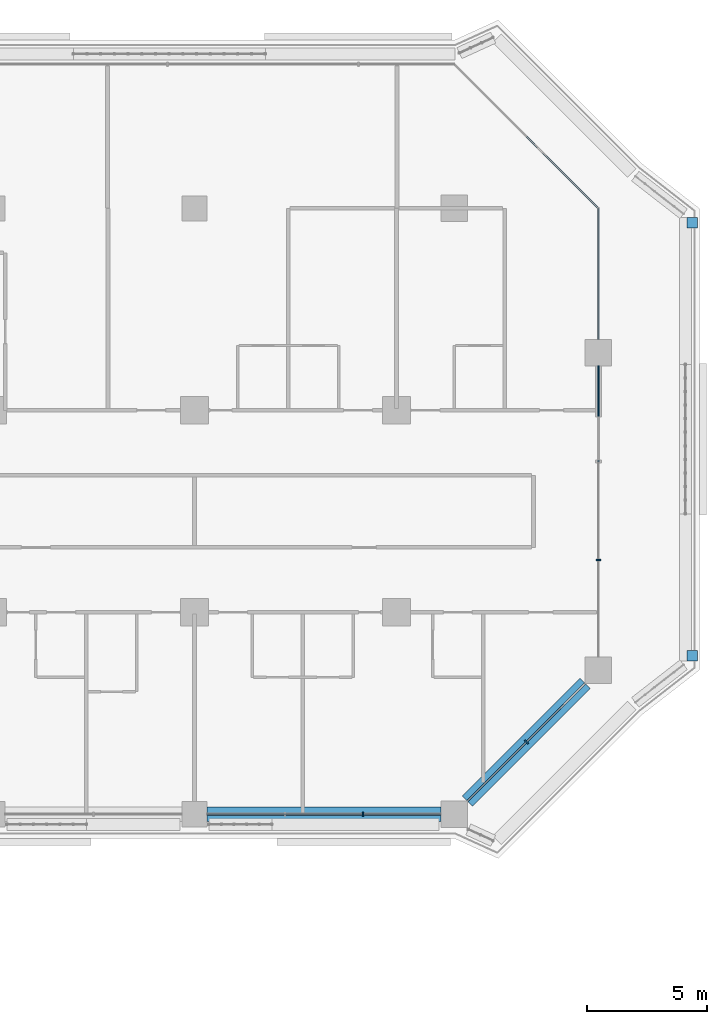
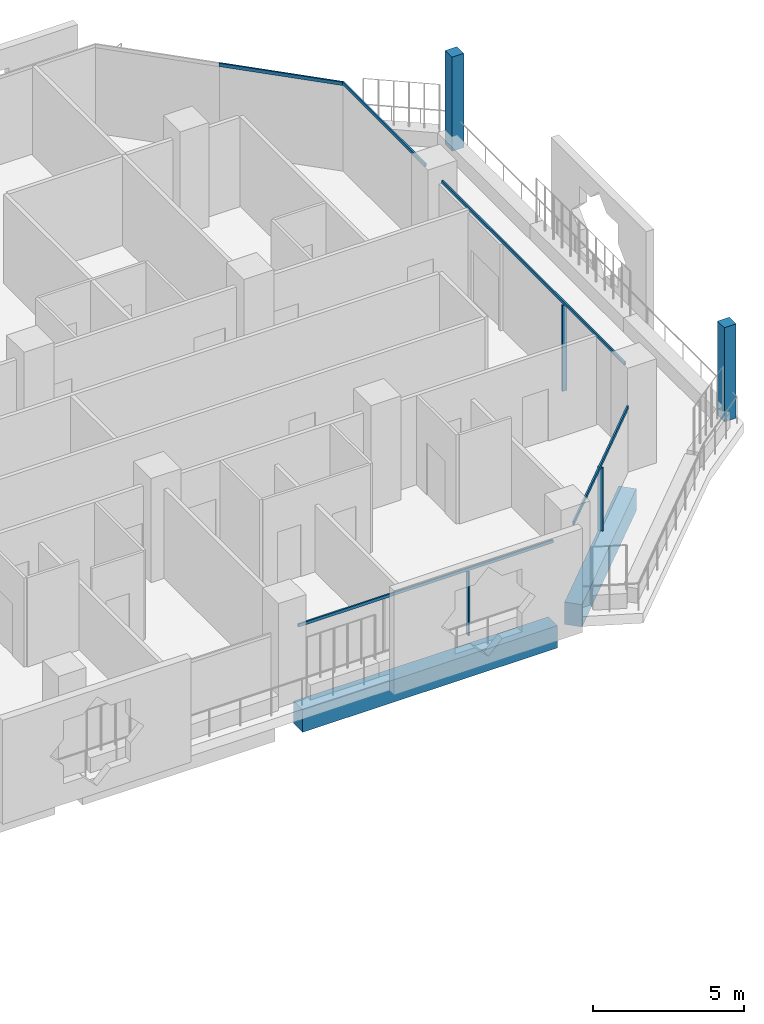
# One storey, part 7 of 25: 10 members, 2 beams, 5 elements without a shape of their own.
"""IFC4 building model written with IfcOpenShell, lengths in metres."""

import ifcopenshell
import ifcopenshell.guid

model = None  # the IFC model being written
_history = None  # IfcOwnerHistory: only IFC2X3 demands one
_inside = {}  # id of a spatial element -> (the spatial element, [elements in it])
_under = {}  # id of a project, library or spatial element -> (it, [spatial elements below it])
_declared = {}  # id of a project -> (the project, [libraries it declares])
_typed = {}  # id of a type object -> (the type object, [elements of that type])
_made_of = {}  # id of a material, layer set ... -> (it, [elements and type objects made of it])


def new_model(schema):
    """Start an empty IFC model of exactly this schema.

    Asked for "IFC4X3", IfcOpenShell would pick the latest addendum, in which some entities
    have other attributes; the version numbers below select the first issue.
    IFC2X3 requires an IfcOwnerHistory on every rooted entity: one is made here for all.
    """
    global model, _history
    if schema == "IFC4X3":
        model = ifcopenshell.file(schema_version=(4, 3, 0, 0))
    else:
        model = ifcopenshell.file(schema=schema)
    _inside.clear()
    _under.clear()
    _declared.clear()
    _typed.clear()
    _made_of.clear()
    _history = None
    if model.schema == "IFC2X3":
        org = make("IfcOrganization", Name="unknown")
        user = make(
            "IfcPersonAndOrganization",
            ThePerson=make("IfcPerson", FamilyName="unknown"),
            TheOrganization=org,
        )
        app = make(
            "IfcApplication",
            ApplicationDeveloper=org,
            Version="unknown",
            ApplicationFullName="unknown",
            ApplicationIdentifier="unknown",
        )
        _history = make(
            "IfcOwnerHistory",
            OwningUser=user,
            OwningApplication=app,
            ChangeAction="ADDED",
            CreationDate=0,
        )
    return model


def make(cls, **values):
    """One entity of the class cls with the attributes given. An attribute that is None is left unset."""
    return model.create_entity(
        cls, **{name: value for name, value in values.items() if value is not None}
    )


def rooted(cls, **values):
    """An entity with a GlobalId (a new one), such as an element, a storey or a relation."""
    return make(cls, GlobalId=ifcopenshell.guid.new(), OwnerHistory=_history, **values)


def si_unit(unit_type, name, prefix=None):
    """IfcSIUnit, for example si_unit("LENGTHUNIT", "METRE", prefix="MILLI")."""
    return make("IfcSIUnit", UnitType=unit_type, Prefix=prefix, Name=name)


def assignment(units):
    """IfcUnitAssignment: the units of a project."""
    return None if units is None else make("IfcUnitAssignment", Units=units)


def point(xyz):
    """IfcCartesianPoint."""
    return None if xyz is None else make("IfcCartesianPoint", Coordinates=xyz)


def direction(xyz):
    """IfcDirection."""
    return None if xyz is None else make("IfcDirection", DirectionRatios=xyz)


def frame(location, z_axis=None, x_axis=None):
    """IfcAxis2Placement3D, a coordinate frame: its origin and axes. An axis left out is left unset."""
    return make(
        "IfcAxis2Placement3D",
        Location=point(location),
        Axis=direction(z_axis),
        RefDirection=direction(x_axis),
    )


def frame_2d(location, x_axis=None):
    """IfcAxis2Placement2D, a coordinate frame in the plane: its origin and x axis."""
    return make(
        "IfcAxis2Placement2D", Location=point(location), RefDirection=direction(x_axis)
    )


def origin():
    """The frame at (0, 0, 0) with its axes left unset."""
    return frame((0.0, 0.0, 0.0))


def origin_2d():
    """The frame at (0, 0) in the plane with its x axis left unset."""
    return frame_2d((0.0, 0.0))


def place(relative_to, where):
    """IfcLocalPlacement: puts the frame where relative to a parent placement (None: the world)."""
    return make(
        "IfcLocalPlacement", PlacementRelTo=relative_to, RelativePlacement=where
    )


def context(
    kind, dimensions, precision=None, world=None, true_north=None, identifier=None
):
    """IfcGeometricRepresentationContext, for example the 3D "Model" context."""
    return make(
        "IfcGeometricRepresentationContext",
        ContextIdentifier=identifier,
        ContextType=kind,
        CoordinateSpaceDimension=dimensions,
        Precision=precision,
        WorldCoordinateSystem=world,
        TrueNorth=true_north,
    )


def subcontext(parent, identifier, kind, view, scale=None):
    """IfcGeometricRepresentationSubContext, for example "Body" below "Model"."""
    return make(
        "IfcGeometricRepresentationSubContext",
        ContextIdentifier=identifier,
        ContextType=kind,
        ParentContext=parent,
        TargetScale=scale,
        TargetView=view,
    )


def project(units=None, contexts=None):
    """IfcProject with its units and contexts."""
    return rooted(
        "IfcProject",
        Name="project",
        RepresentationContexts=contexts,
        UnitsInContext=assignment(units),
    )


def spatial(cls, under=None, at=None, **own):
    """A site, building, storey or space (cls), placed at a placement, below another one or the project."""
    s = rooted(cls, ObjectPlacement=at, **own)
    if under is not None:
        _under.setdefault(under.id(), (under, []))[1].append(s)
    return s


def profile(cls, at=None, kind="AREA", **sizes):
    """A parametric profile (cls). Its sizes go by their IFC names, for example OverallWidth=200.0."""
    return make(cls, ProfileType=kind, Position=at, **sizes)


def rectangle(**sizes):
    """IfcRectangleProfileDef."""
    return profile("IfcRectangleProfileDef", **sizes)


def extrude(swept, where, along, depth):
    """IfcExtrudedAreaSolid: the profile swept, set in the frame where, extruded along a direction by depth."""
    return make(
        "IfcExtrudedAreaSolid",
        SweptArea=swept,
        Position=where,
        ExtrudedDirection=direction(along),
        Depth=depth,
    )


def shape(context_of_items, identifier, shape_type, items):
    """IfcShapeRepresentation: the items that make up one representation, for example the "Body"."""
    return make(
        "IfcShapeRepresentation",
        ContextOfItems=context_of_items,
        RepresentationIdentifier=identifier,
        RepresentationType=shape_type,
        Items=items,
    )


def material(Name=None, Category=None):
    """IfcMaterial."""
    return make("IfcMaterial", Name=Name, Category=Category)


def layer(
    of_material, thickness, ventilated=None, Name=None, Category=None, Priority=None
):
    """IfcMaterialLayer: one layer of a wall or slab, of a material (None: an air gap)."""
    return make(
        "IfcMaterialLayer",
        Material=of_material,
        LayerThickness=thickness,
        IsVentilated=ventilated,
        Name=Name,
        Category=Category,
        Priority=Priority,
    )


def layer_set(layers, Name=None):
    """IfcMaterialLayerSet."""
    return make("IfcMaterialLayerSet", MaterialLayers=layers, LayerSetName=Name)


def material_profile(
    of_material, cross_section, Name=None, Category=None, Priority=None
):
    """IfcMaterialProfile: a cross section and its material."""
    return make(
        "IfcMaterialProfile",
        Name=Name,
        Material=of_material,
        Profile=cross_section,
        Priority=Priority,
        Category=Category,
    )


def profile_set(profiles, Name=None, composite=None):
    """IfcMaterialProfileSet."""
    return make(
        "IfcMaterialProfileSet",
        Name=Name,
        MaterialProfiles=profiles,
        CompositeProfile=composite,
    )


def made_of(thing, what):
    """Note that an element or type object is made of a material, layer set ...; save() writes the relation."""
    if what is not None:
        _made_of.setdefault(what.id(), (what, []))[1].append(thing)
    return thing


def type_object(cls, material=None, **own):
    """A type object (cls), such as IfcWallType, which elements share."""
    return made_of(rooted(cls, **own), material)


def element(
    cls,
    number,
    at=None,
    inside=None,
    cuts=None,
    type_object=None,
    material=None,
    context=None,
    identifier="Body",
    shape_type=None,
    held_by="IfcProductDefinitionShape",
    body=None,
    shapes=None,
    **own,
):
    """One element of the class cls, such as IfcWall. Its Tag is "e" and its number.

    at: its placement. inside: the storey or other place that contains it. cuts: it is an
    opening in that element (IfcRelVoidsElement). A single representation is given by context,
    identifier, shape_type and body (its items); several are given by shapes. held_by: the class
    of the entity that holds the representations. save() writes the other relations.
    """
    e = rooted(cls, Tag="e%d" % number, ObjectPlacement=at, **own)
    if body is not None:
        shapes = [shape(context, identifier, shape_type, body)]
    if shapes is not None:
        e.Representation = make(held_by, Representations=shapes)
    if inside is not None:
        _inside.setdefault(inside.id(), (inside, []))[1].append(e)
    if cuts is not None:
        rooted(
            "IfcRelVoidsElement", RelatingBuildingElement=cuts, RelatedOpeningElement=e
        )
    if type_object is not None:
        _typed.setdefault(type_object.id(), (type_object, []))[1].append(e)
    return made_of(e, material)


def aggregate(whole, parts):
    """IfcRelAggregates: a whole, such as a stair, and the parts it consists of."""
    return rooted("IfcRelAggregates", RelatingObject=whole, RelatedObjects=parts)


def save(model, path):
    """Write the relations noted so far, then the file.

    IfcRelAggregates (storeys below a building ...), IfcRelContainedInSpatialStructure (elements
    in a storey), IfcRelDefinesByType, IfcRelAssociatesMaterial and IfcRelDeclares: one each for
    every whole, place, type object, material and project.
    """
    for whole, parts in _under.values():
        aggregate(whole, parts)
    for where, things in _inside.values():
        rooted(
            "IfcRelContainedInSpatialStructure",
            RelatedElements=things,
            RelatingStructure=where,
        )
    for kind, things in _typed.values():
        rooted("IfcRelDefinesByType", RelatedObjects=things, RelatingType=kind)
    for what, things in _made_of.values():
        rooted("IfcRelAssociatesMaterial", RelatedObjects=things, RelatingMaterial=what)
    for by, libraries in _declared.values():
        rooted("IfcRelDeclares", RelatingContext=by, RelatedDefinitions=libraries)
    model.write(path)


model = new_model("IFC4")

# Units and contexts
model_context = context("Model", 3, precision=1e-05, world=origin(), true_north=direction((0.0, 1.0)))
body_context = subcontext(model_context, "Body", "Model", "MODEL_VIEW")
ifc_project = project(units=[si_unit("LENGTHUNIT", "METRE"), si_unit("AREAUNIT", "SQUARE_METRE"), si_unit("VOLUMEUNIT", "CUBIC_METRE"), si_unit("PLANEANGLEUNIT", "RADIAN"), si_unit("MASSUNIT", "GRAM", prefix="KILO")], contexts=[model_context])

# Site, building, storey
site_placement = place(None, origin())
site = spatial("IfcSite", under=ifc_project, at=site_placement, CompositionType="ELEMENT")
building_placement = place(site_placement, origin())
building = spatial("IfcBuilding", under=site, at=building_placement, Name="Kawkab Arch Medical Tower", CompositionType="ELEMENT")
storey_placement = place(building_placement, frame((0.0, 0.0, 140.800048828125)))
storey = spatial("IfcBuildingStorey", under=building, at=storey_placement, Name="L32", CompositionType="ELEMENT", Elevation=140.800048828125)

# Curtain wall, member
ifc_material_1 = material(Name="Bronze anodised aluminium curtain wall frame", Category="aluminium")
ifc_layer_1 = layer(ifc_material_1, 0.159912109375)
ifc_layer_set_1 = layer_set([ifc_layer_1], Name="Bronze anodised aluminium curtain wall frame")
curtain_wall_type_1 = type_object("IfcCurtainWallType", Name="CW1 ward curtain wall", PredefinedType="NOTDEFINED", material=ifc_layer_set_1)
placement = place(storey_placement, origin())
curtain_wall_1 = element("IfcCurtainWall", 1, at=placement, inside=storey, type_object=curtain_wall_type_1, Name="CW1 Ward curtain wall R07", PredefinedType="NOTDEFINED")
ifc_material_2 = material(Name="Bronze anodised aluminium curtain wall frame", Category="aluminium")
ifc_material_profile_1 = material_profile(ifc_material_2, rectangle(XDim=0.179931640625, YDim=0.06005859375, at=origin_2d()), Name="AL 60x180")
ifc_profile_set_1 = profile_set([ifc_material_profile_1], Name="Bronze anodised aluminium curtain wall frame")
member_type_1 = type_object("IfcMemberType", Name="CW1 mullion 60 x 180", PredefinedType="MULLION", material=ifc_profile_set_1)
member_1_placement = place(storey_placement, frame((65.808349609375, -25.199951171875, 0.0), z_axis=(0.0, 0.0, 1.0), x_axis=(0.0, 1.0, 0.0)))
member_1 = element("IfcMember", 2, at=member_1_placement, type_object=member_type_1, Name="CW1 mullion 4.2", PredefinedType="MULLION", context=body_context, shape_type="SweptSolid", body=[
    extrude(rectangle(XDim=0.179931640625, YDim=0.06005859375, at=origin_2d()), origin(), (0.0, 0.0, 1.0), 2.579833984375),
])

curtain_wall_2 = element("IfcCurtainWall", 3, at=placement, inside=storey, type_object=curtain_wall_type_1, Name="CW1 Ward curtain wall R09", PredefinedType="NOTDEFINED")
member_2_placement = place(storey_placement, frame((75.60009765625, -14.61669921875, 0.0), z_axis=(0.0, 0.0, 1.0), x_axis=(-1.0, 0.0, 0.0)))
member_2 = element("IfcMember", 4, at=member_2_placement, type_object=member_type_1, Name="CW1 mullion 1.1", PredefinedType="MULLION", context=body_context, shape_type="SweptSolid", body=[
    extrude(rectangle(XDim=0.179931640625, YDim=0.06005859375, at=origin_2d()), origin(), (0.0, 0.0, 1.0), 3.47998046875),
])

# Member
ifc_material_3 = material(Name="Bronze anodised aluminium curtain wall frame", Category="aluminium")
ifc_material_profile_2 = material_profile(ifc_material_3, rectangle(XDim=0.06005859375, YDim=0.1201171875, at=origin_2d()), Name="AL 60x120")
ifc_profile_set_2 = profile_set([ifc_material_profile_2], Name="Bronze anodised aluminium curtain wall frame")
member_type_2 = type_object("IfcMemberType", Name="CW1 transom 120 x 60", PredefinedType="USERDEFINED", material=ifc_profile_set_2)
member_3_placement = place(storey_placement, frame((59.324951171875, -25.199951171875, 2.639892578125), z_axis=(1.0, 0.0, 0.0), x_axis=(0.0, 1.0, 0.0)))
member_3 = element("IfcMember", 5, at=member_3_placement, type_object=member_type_2, Name="CW1 transom 4", ObjectType="TRANSOM", PredefinedType="USERDEFINED", context=body_context, shape_type="SweptSolid", body=[
    extrude(rectangle(XDim=0.06005859375, YDim=0.1201171875, at=origin_2d()), origin(), (0.0, 0.0, 1.0), 9.72509765625),
])

aggregate(curtain_wall_1, [member_3, member_1])

member_4_placement = place(storey_placement, frame((75.60009765625, -18.64990234375, 3.5400390625), z_axis=(0.0, 1.0, 0.0), x_axis=(-1.0, 0.0, 0.0)))
member_4 = element("IfcMember", 6, at=member_4_placement, type_object=member_type_2, Name="CW1 transom 1", ObjectType="TRANSOM", PredefinedType="USERDEFINED", context=body_context, shape_type="SweptSolid", body=[
    extrude(rectangle(XDim=0.06005859375, YDim=0.1201171875, at=origin_2d()), origin(), (0.0, 0.0, 1.0), 12.099853515625),
])

member_5_placement = place(storey_placement, frame((75.60009765625, -5.449951171875, 3.5400390625), z_axis=(0.0, 1.0, 0.0), x_axis=(-1.0, 0.0, 0.0)))
member_5 = element("IfcMember", 7, at=member_5_placement, type_object=member_type_2, Name="CW1 transom 2", ObjectType="TRANSOM", PredefinedType="USERDEFINED", context=body_context, shape_type="SweptSolid", body=[
    extrude(rectangle(XDim=0.06005859375, YDim=0.1201171875, at=origin_2d()), origin(), (0.0, 0.0, 1.0), 5.449951171875),
])

aggregate(curtain_wall_2, [member_4, member_2, member_5])

# Curtain wall, members
ifc_material_4 = material(Name="Bronze anodised aluminium curtain wall frame", Category="aluminium")
ifc_layer_2 = layer(ifc_material_4, 0.159912109375)
ifc_layer_set_2 = layer_set([ifc_layer_2], Name="Bronze anodised aluminium curtain wall frame")
curtain_wall_type_2 = type_object("IfcCurtainWallType", Name="CW2 chamfer curtain wall", PredefinedType="NOTDEFINED", material=ifc_layer_set_2)
curtain_wall_3 = element("IfcCurtainWall", 8, at=placement, inside=storey, type_object=curtain_wall_type_2, Name="CW2 Chamfer curtain wall R08", PredefinedType="NOTDEFINED")
ifc_material_5 = material(Name="Bronze anodised aluminium curtain wall frame", Category="aluminium")
ifc_material_profile_3 = material_profile(ifc_material_5, rectangle(XDim=0.199951171875, YDim=0.06005859375, at=origin_2d()), Name="AL 60x200")
ifc_profile_set_3 = profile_set([ifc_material_profile_3], Name="Bronze anodised aluminium curtain wall frame")
member_type_3 = type_object("IfcMemberType", Name="CW2 mullion 60 x 200", PredefinedType="MULLION", material=ifc_profile_set_3)
member_6_placement = place(storey_placement, frame((72.60009765625, -22.199951171875, 0.0), z_axis=(0.0, 0.0, 1.0), x_axis=(-0.707106781187, 0.707106781187, 0.0)))
member_6 = element("IfcMember", 9, at=member_6_placement, type_object=member_type_3, Name="CW2 mullion 1.1", PredefinedType="MULLION", context=body_context, shape_type="SweptSolid", body=[
    extrude(rectangle(XDim=0.199951171875, YDim=0.06005859375, at=origin_2d()), origin(), (0.0, 0.0, 1.0), 2.56005859375),
])
ifc_material_6 = material(Name="Bronze anodised aluminium curtain wall frame", Category="aluminium")
ifc_material_profile_4 = material_profile(ifc_material_6, rectangle(XDim=0.06005859375, YDim=0.139892578125, at=origin_2d()), Name="AL 60x140")
ifc_profile_set_4 = profile_set([ifc_material_profile_4], Name="Bronze anodised aluminium curtain wall frame")
member_type_4 = type_object("IfcMemberType", Name="CW2 transom 140 x 60", PredefinedType="USERDEFINED", material=ifc_profile_set_4)
member_7_placement = place(storey_placement, frame((70.14990234375, -24.64990234375, 2.6298828125), z_axis=(0.707124396542, 0.707089165393, 0.0), x_axis=(-0.707089165393, 0.707124396542, 0.0)))
member_7 = element("IfcMember", 10, at=member_7_placement, type_object=member_type_4, Name="CW2 transom 1", ObjectType="TRANSOM", PredefinedType="USERDEFINED", context=body_context, shape_type="SweptSolid", body=[
    extrude(rectangle(XDim=0.06005859375, YDim=0.139892578125, at=origin_2d()), origin(), (0.0, 0.0, 1.0), 6.9296875),
])
aggregate(curtain_wall_3, [member_7, member_6])

# Curtain wall, member
curtain_wall_4 = element("IfcCurtainWall", 11, at=placement, inside=storey, type_object=curtain_wall_type_2, Name="CW2 Chamfer curtain wall R10", PredefinedType="NOTDEFINED")
member_8_placement = place(storey_placement, frame((75.60009765625, 0.0, 3.530029296875), z_axis=(-0.707106781187, 0.707106781187, 0.0), x_axis=(-0.707106781187, -0.707106781187, 0.0)))
member_8 = element("IfcMember", 12, at=member_8_placement, type_object=member_type_4, Name="CW2 transom 1", ObjectType="TRANSOM", PredefinedType="USERDEFINED", context=body_context, shape_type="SweptSolid", body=[
    extrude(rectangle(XDim=0.06005859375, YDim=0.139892578125, at=origin_2d()), origin(), (0.0, 0.0, 1.0), 4.24267578125),
])
aggregate(curtain_wall_4, [member_8])

# Curtain wall, members
ifc_material_7 = material(Name="Bronze anodised aluminium climber frame, planted", Category="aluminium")
ifc_layer_3 = layer(ifc_material_7, 0.449951171875)
ifc_layer_set_3 = layer_set([ifc_layer_3], Name="Bronze anodised aluminium climber frame, planted")
curtain_wall_type_3 = type_object("IfcCurtainWallType", Name="Planted climber frame", PredefinedType="NOTDEFINED", material=ifc_layer_set_3)
curtain_wall_5 = element("IfcCurtainWall", 13, at=placement, inside=storey, type_object=curtain_wall_type_3, Name="Planted climber frame L32", PredefinedType="NOTDEFINED")
ifc_material_8 = material(Name="Bronze anodised aluminium climber frame, planted", Category="aluminium")
ifc_material_profile_5 = material_profile(ifc_material_8, rectangle(XDim=0.449951171875, YDim=0.449951171875, at=origin_2d()), Name="Post 450x450")
ifc_profile_set_5 = profile_set([ifc_material_profile_5], Name="Bronze anodised aluminium climber frame, planted")
member_type_5 = type_object("IfcMemberType", Name="Planted climber post 450 x 450", PredefinedType="MULLION", material=ifc_profile_set_5)
member_9_placement = place(storey_placement, frame((79.5, -0.596923828125, 0.0), z_axis=(0.0, 0.0, 1.0), x_axis=(1.0, 0.0, 0.0)))
member_9 = element("IfcMember", 14, at=member_9_placement, type_object=member_type_5, Name="Planted climber post L32.LOG-01-01.3", PredefinedType="MULLION", context=body_context, shape_type="SweptSolid", body=[
    extrude(rectangle(XDim=0.449951171875, YDim=0.449951171875, at=origin_2d()), origin(), (0.0, 0.0, 1.0), 3.800048828125),
])
member_10_placement = place(storey_placement, frame((79.5, -18.60302734375, 0.0), z_axis=(0.0, 0.0, 1.0), x_axis=(1.0, 0.0, 0.0)))
member_10 = element("IfcMember", 15, at=member_10_placement, type_object=member_type_5, Name="Planted climber post L32.LOG-01-01.4", PredefinedType="MULLION", context=body_context, shape_type="SweptSolid", body=[
    extrude(rectangle(XDim=0.449951171875, YDim=0.449951171875, at=origin_2d()), origin(), (0.0, 0.0, 1.0), 3.800048828125),
])
aggregate(curtain_wall_5, [member_9, member_10])

# Beams
ifc_material_9 = material(Name="Concrete C55/67", Category="concrete")
ifc_material_profile_6 = material_profile(ifc_material_9, rectangle(XDim=0.60009765625, YDim=0.89990234375, at=origin_2d()), Name="RC 600x900")
ifc_profile_set_6 = profile_set([ifc_material_profile_6], Name="Concrete C55/67")
beam_type = type_object("IfcBeamType", Name="RC 600x900 beam C55/67", PredefinedType="BEAM", material=ifc_profile_set_6)
beam_1_placement = place(storey_placement, frame((75.050048828125, -19.75, -1.050048828125), z_axis=(-0.707124396542, -0.707089165393, 0.0), x_axis=(0.707089165393, -0.707124396542, 0.0)))
element("IfcBeam", 16, at=beam_1_placement, inside=storey, type_object=beam_type, Name="Overhang edge beam L32-01", PredefinedType="BEAM", context=body_context, shape_type="SweptSolid", body=[
    extrude(rectangle(XDim=0.60009765625, YDim=0.89990234375, at=origin_2d()), origin(), (0.0, 0.0, 1.0), 6.9296875),
])
beam_2_placement = place(storey_placement, frame((69.050048828125, -25.199951171875, -1.050048828125), z_axis=(-1.0, 0.0, 0.0), x_axis=(0.0, -1.0, 0.0)))
element("IfcBeam", 17, at=beam_2_placement, inside=storey, type_object=beam_type, Name="Overhang edge beam L32-02", PredefinedType="BEAM", context=body_context, shape_type="SweptSolid", body=[
    extrude(rectangle(XDim=0.60009765625, YDim=0.89990234375, at=origin_2d()), origin(), (0.0, 0.0, 1.0), 9.72509765625),
])

save(model, "model.ifc")
